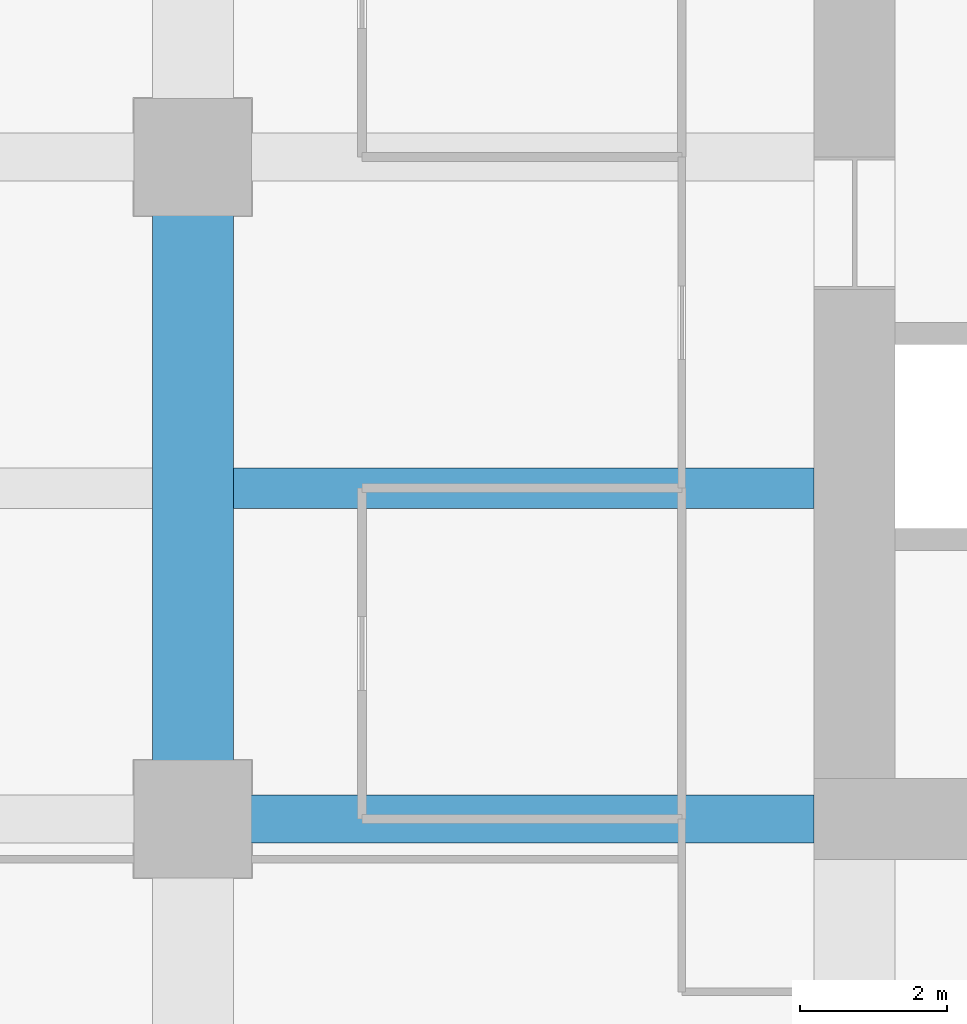
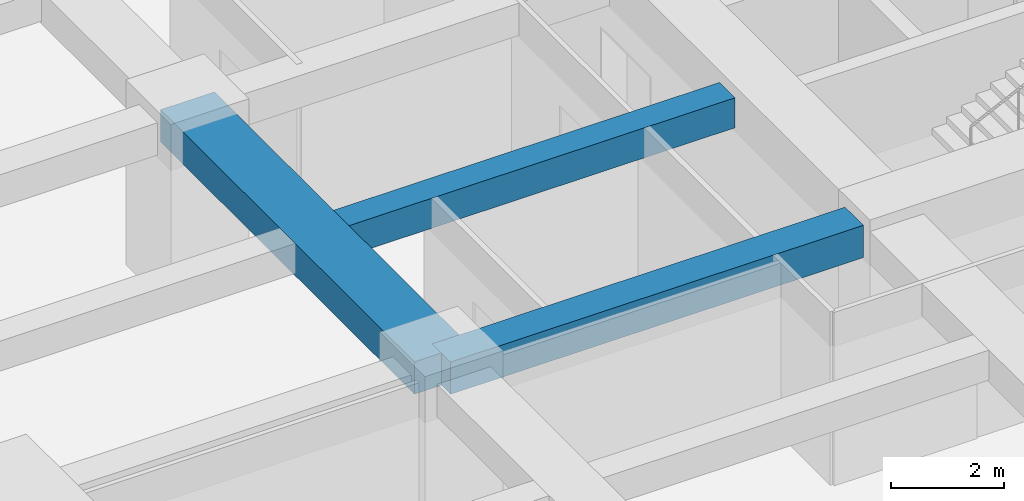
# One storey, part 10 of 33: 3 beams.
"""IFC4 building model written with IfcOpenShell, lengths in metres."""

from ifc_helpers import new_model, si_unit, direction, frame, origin, origin_2d, place, context, subcontext, project, spatial, rectangle, extrude, material, material_profile, profile_set, type_object, element, save


model = new_model("IFC4")

# Units and contexts
model_context = context("Model", 3, precision=1e-05, world=origin(), true_north=direction((0.0, 1.0)))
body_context = subcontext(model_context, "Body", "Model", "MODEL_VIEW")
ifc_project = project(units=[si_unit("LENGTHUNIT", "METRE"), si_unit("AREAUNIT", "SQUARE_METRE"), si_unit("VOLUMEUNIT", "CUBIC_METRE"), si_unit("PLANEANGLEUNIT", "RADIAN"), si_unit("MASSUNIT", "GRAM", prefix="KILO")], contexts=[model_context])

# Site, building, storey
site_placement = place(None, origin())
site = spatial("IfcSite", under=ifc_project, at=site_placement, CompositionType="ELEMENT")
building_placement = place(site_placement, origin())
building = spatial("IfcBuilding", under=site, at=building_placement, Name="Zorevar Civic Tower", CompositionType="ELEMENT")
storey_placement = place(building_placement, frame((0.0, 0.0, 194.199951171875)))
storey = spatial("IfcBuildingStorey", under=building, at=storey_placement, Name="L47", CompositionType="ELEMENT", Elevation=194.199951171875)

# Beams
ifc_material_1 = material(Name="Concrete C50/60", Category="concrete")
ifc_material_profile_1 = material_profile(ifc_material_1, rectangle(XDim=1.10009765625, YDim=0.699951171875, at=origin_2d()), Name="RC 1100x700")
ifc_profile_set_1 = profile_set([ifc_material_profile_1], Name="Concrete C50/60")
beam_type_1 = type_object("IfcBeamType", Name="Beam RC 1100x700", PredefinedType="BEAM", material=ifc_profile_set_1)
beam_1_placement = place(storey_placement, frame((9.0, 18.0, 3.400146484375), z_axis=(0.0, 1.0, 0.0), x_axis=(-1.0, 0.0, 0.0)))
element("IfcBeam", 1, at=beam_1_placement, inside=storey, type_object=beam_type_1, Name="Girder L48", PredefinedType="BEAM", context=body_context, shape_type="SweptSolid", body=[
    extrude(rectangle(XDim=1.10009765625, YDim=0.699951171875, at=origin_2d()), origin(), (0.0, 0.0, 1.0), 9.0),
])
ifc_material_2 = material(Name="Concrete C50/60", Category="concrete")
ifc_material_profile_2 = material_profile(ifc_material_2, rectangle(XDim=0.550048828125, YDim=0.64990234375, at=origin_2d()), Name="RC 550x650")
ifc_profile_set_2 = profile_set([ifc_material_profile_2], Name="Concrete C50/60")
beam_type_2 = type_object("IfcBeamType", Name="Beam RC 550x650", PredefinedType="BEAM", material=ifc_profile_set_2)
beam_2_placement = place(storey_placement, frame((9.550048828125, 22.5, 3.425048828125), z_axis=(1.0, 0.0, 0.0), x_axis=(0.0, 1.0, 0.0)))
element("IfcBeam", 2, at=beam_2_placement, inside=storey, type_object=beam_type_2, Name="Secondary beam L48", PredefinedType="BEAM", context=body_context, shape_type="SweptSolid", body=[
    extrude(rectangle(XDim=0.550048828125, YDim=0.64990234375, at=origin_2d()), origin(), (0.0, 0.0, 1.0), 7.89990234375),
])
ifc_material_3 = material(Name="Concrete C50/60", Category="concrete")
ifc_material_profile_3 = material_profile(ifc_material_3, rectangle(XDim=0.64990234375, YDim=0.699951171875, at=origin_2d()), Name="RC 650x700")
ifc_profile_set_3 = profile_set([ifc_material_profile_3], Name="Concrete C50/60")
beam_type_3 = type_object("IfcBeamType", Name="Beam RC 650x700", PredefinedType="BEAM", material=ifc_profile_set_3)
beam_3_placement = place(storey_placement, frame((9.0, 18.0, 3.400146484375), z_axis=(1.0, 0.0, 0.0), x_axis=(0.0, 1.0, 0.0)))
element("IfcBeam", 3, at=beam_3_placement, inside=storey, type_object=beam_type_3, Name="Girder L48", PredefinedType="BEAM", context=body_context, shape_type="SweptSolid", body=[
    extrude(rectangle(XDim=0.64990234375, YDim=0.699951171875, at=origin_2d()), origin(), (0.0, 0.0, 1.0), 8.449951171875),
])

save(model, "model.ifc")
